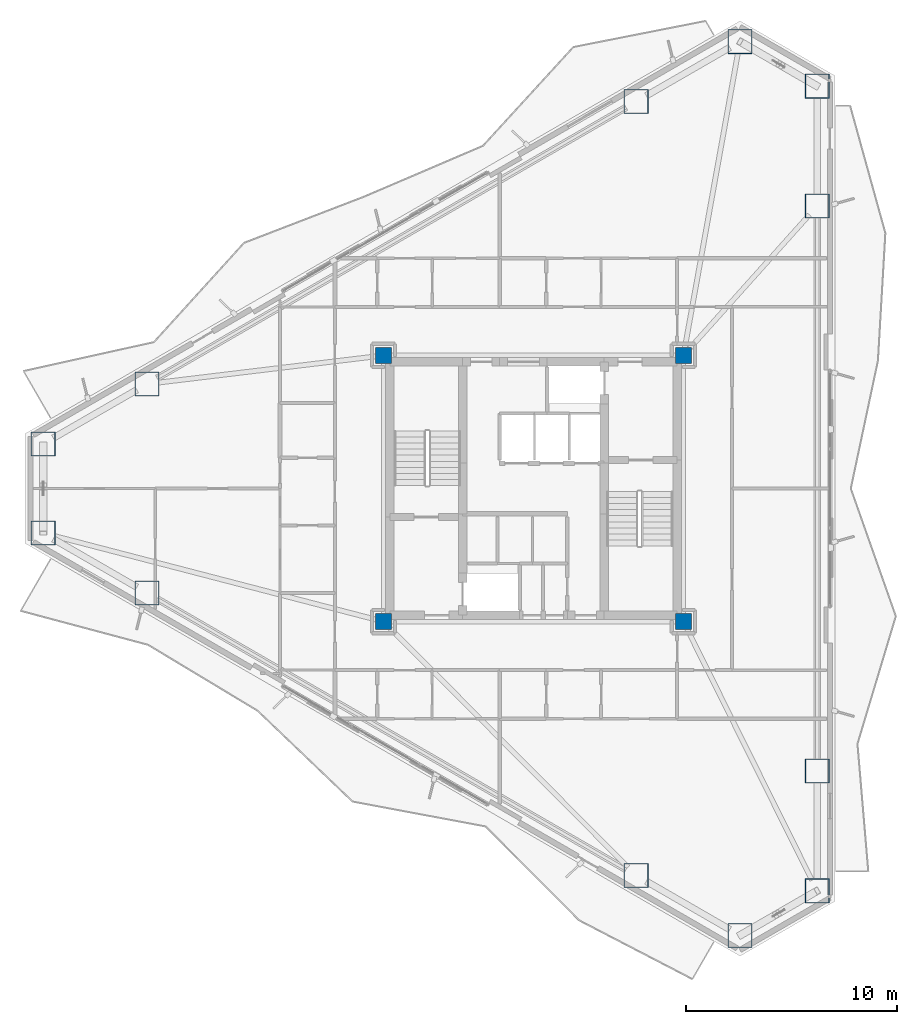
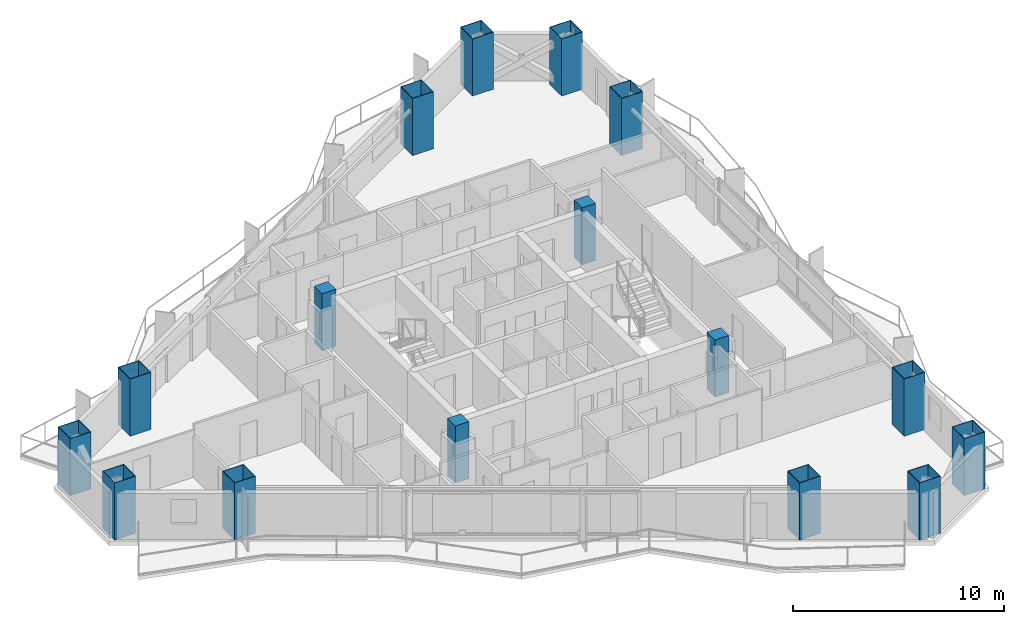
# One storey, part 1 of 22: 16 columns.
"""IFC4 building model written with IfcOpenShell, lengths in metres."""

from ifc_helpers import new_model, si_unit, direction, frame, origin, origin_2d, place, context, subcontext, project, spatial, rectangle, hollow_rectangle, extrude, material, material_profile, profile_set, type_object, element, save


model = new_model("IFC4")

# Units and contexts
model_context = context("Model", 3, precision=1e-05, world=origin(), true_north=direction((0.0, 1.0)))
body_context = subcontext(model_context, "Body", "Model", "MODEL_VIEW")
ifc_project = project(units=[si_unit("LENGTHUNIT", "METRE"), si_unit("AREAUNIT", "SQUARE_METRE"), si_unit("VOLUMEUNIT", "CUBIC_METRE"), si_unit("PLANEANGLEUNIT", "RADIAN"), si_unit("MASSUNIT", "GRAM", prefix="KILO")], contexts=[model_context])

# Site, building, storey
site_placement = place(None, origin())
site = spatial("IfcSite", under=ifc_project, at=site_placement, CompositionType="ELEMENT")
building_placement = place(site_placement, origin())
building = spatial("IfcBuilding", under=site, at=building_placement, Name="Mersakhor Tower and Convention Hall", CompositionType="ELEMENT")
storey_placement = place(building_placement, frame((0.0, 0.0, 99.89990234375)))
storey = spatial("IfcBuildingStorey", under=building, at=storey_placement, Name="L27", CompositionType="ELEMENT", Elevation=99.89990234375)

# Columns
ifc_material_1 = material(Name="Concrete C60/75 in S460M steel box", Category="concrete")
ifc_material_profile_1 = material_profile(ifc_material_1, hollow_rectangle(XDim=1.14990234375, YDim=1.14990234375, WallThickness=0.031982421875, at=origin_2d()), Name="SHS 1150x1150x32")
ifc_profile_set_1 = profile_set([ifc_material_profile_1], Name="Concrete C60/75 in S460M steel box")
column_type_1 = type_object("IfcColumnType", Name="COL-CFT-1150", PredefinedType="COLUMN", material=ifc_profile_set_1)
for number, where, z_axis, x_axis, name in (
    (1, (5.78662109375, 28.86083984375, 0.0), (0.0, 0.0, 1.0), (1.0, 0.0, 0.0), "L27 Perimeter Mega-Column MC-01"),
    (2, (10.702392578125, 31.698974609375, 0.0), (0.0, 0.0, 1.0), (1.0, 0.0, 0.0), "L27 Perimeter Mega-Column MC-02"),
    (3, (33.86279296875, 45.070556640625, 0.0), (0.0, 0.0, 1.0), (1.0, 0.0, 0.0), "L27 Perimeter Mega-Column MC-03"),
    (4, (38.77880859375, 47.90869140625, 0.0), (0.0, 0.0, 1.0), (1.0, 0.0, 0.0), "L27 Perimeter Mega-Column MC-04"),
    (5, (42.4345703125, 45.798095703125, 0.0), (0.0, 0.0, 1.0), (1.0, 0.0, 0.0), "L27 Perimeter Mega-Column MC-05"),
    (6, (42.4345703125, 40.12158203125, 0.0), (0.0, 0.0, 1.0), (1.0, 0.0, 0.0), "L27 Perimeter Mega-Column MC-06"),
    (7, (42.4345703125, 13.37841796875, 0.0), (0.0, 0.0, 1.0), (1.0, 0.0, 0.0), "L27 Perimeter Mega-Column MC-07"),
    (8, (42.4345703125, 7.701904296875, 0.0), (0.0, 0.0, 1.0), (1.0, 0.0, 0.0), "L27 Perimeter Mega-Column MC-08"),
    (9, (38.77880859375, 5.59130859375, 0.0), (0.0, 0.0, 1.0), (1.0, 0.0, 0.0), "L27 Perimeter Mega-Column MC-09"),
    (10, (33.86279296875, 8.429443359375, 0.0), (0.0, 0.0, 1.0), (1.0, 0.0, 0.0), "L27 Perimeter Mega-Column MC-10"),
    (11, (10.702392578125, 21.801025390625, 0.0), (0.0, 0.0, 1.0), (1.0, 0.0, 0.0), "L27 Perimeter Mega-Column MC-11"),
    (12, (5.78662109375, 24.63916015625, 0.0), (0.0, 0.0, 1.0), (1.0, 0.0, 0.0), "L27 Perimeter Mega-Column MC-12"),
):
    element("IfcColumn", number, at=place(storey_placement, frame(where, z_axis=z_axis, x_axis=x_axis)), inside=storey, type_object=column_type_1, Name=name, PredefinedType="COLUMN", context=body_context, shape_type="SweptSolid", body=[
        extrude(hollow_rectangle(XDim=1.14990234375, YDim=1.14990234375, WallThickness=0.031982421875, at=origin_2d()), origin(), (0.0, 0.0, 1.0), 3.300048828125),
    ])
ifc_material_2 = material(Name="Concrete C50/60", Category="concrete")
ifc_material_profile_2 = material_profile(ifc_material_2, rectangle(XDim=0.75, YDim=0.75, at=origin_2d()), Name="RC 750x750")
ifc_profile_set_2 = profile_set([ifc_material_profile_2], Name="Concrete C50/60")
column_type_2 = type_object("IfcColumnType", Name="COL-RC-750", PredefinedType="COLUMN", material=ifc_profile_set_2)
for number, where, z_axis, x_axis, name in (
    (13, (21.89990234375, 20.449951171875, 0.0), (0.0, 0.0, 1.0), (1.0, 0.0, 0.0), "L27 Core Corner Column CC-1"),
    (14, (21.89990234375, 33.050048828125, 0.0), (0.0, 0.0, 1.0), (1.0, 0.0, 0.0), "L27 Core Corner Column CC-2"),
    (15, (36.10009765625, 33.050048828125, 0.0), (0.0, 0.0, 1.0), (1.0, 0.0, 0.0), "L27 Core Corner Column CC-3"),
    (16, (36.10009765625, 20.449951171875, 0.0), (0.0, 0.0, 1.0), (1.0, 0.0, 0.0), "L27 Core Corner Column CC-4"),
):
    element("IfcColumn", number, at=place(storey_placement, frame(where, z_axis=z_axis, x_axis=x_axis)), inside=storey, type_object=column_type_2, Name=name, PredefinedType="COLUMN", context=body_context, shape_type="SweptSolid", body=[
        extrude(rectangle(XDim=0.75, YDim=0.75, at=origin_2d()), origin(), (0.0, 0.0, 1.0), 3.300048828125),
    ])

save(model, "model.ifc")
